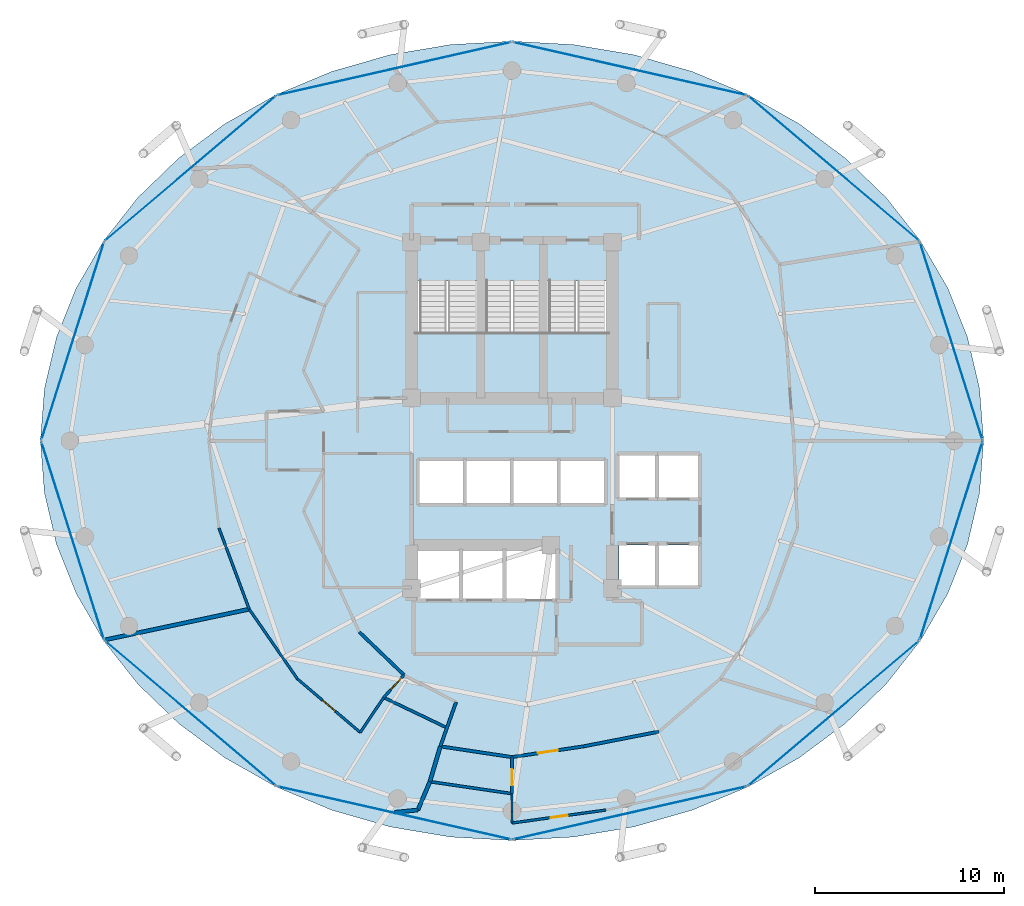
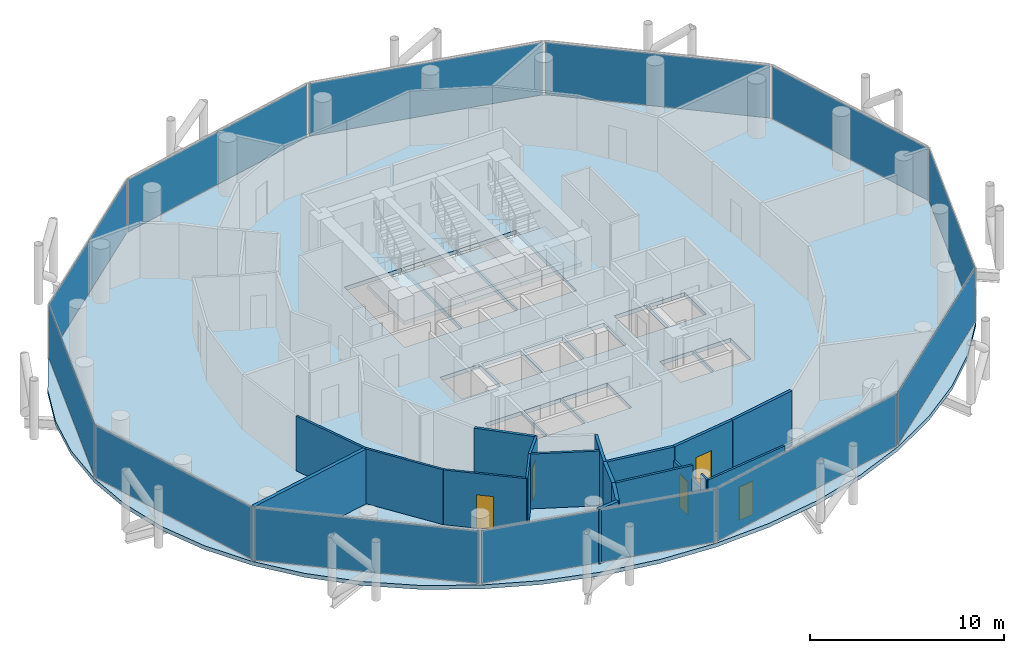
# One storey, part 21 of 26: 20 walls, 12 plates, 5 doors, 4 slabs, 5 openings, 15 elements without a shape of their own.
"""IFC4 building model written with IfcOpenShell, lengths in metres."""

import ifcopenshell
import ifcopenshell.guid

model = None  # the IFC model being written
_history = None  # IfcOwnerHistory: only IFC2X3 demands one
_inside = {}  # id of a spatial element -> (the spatial element, [elements in it])
_under = {}  # id of a project, library or spatial element -> (it, [spatial elements below it])
_declared = {}  # id of a project -> (the project, [libraries it declares])
_typed = {}  # id of a type object -> (the type object, [elements of that type])
_made_of = {}  # id of a material, layer set ... -> (it, [elements and type objects made of it])


def new_model(schema):
    """Start an empty IFC model of exactly this schema.

    Asked for "IFC4X3", IfcOpenShell would pick the latest addendum, in which some entities
    have other attributes; the version numbers below select the first issue.
    IFC2X3 requires an IfcOwnerHistory on every rooted entity: one is made here for all.
    """
    global model, _history
    if schema == "IFC4X3":
        model = ifcopenshell.file(schema_version=(4, 3, 0, 0))
    else:
        model = ifcopenshell.file(schema=schema)
    _inside.clear()
    _under.clear()
    _declared.clear()
    _typed.clear()
    _made_of.clear()
    _history = None
    if model.schema == "IFC2X3":
        org = make("IfcOrganization", Name="unknown")
        user = make(
            "IfcPersonAndOrganization",
            ThePerson=make("IfcPerson", FamilyName="unknown"),
            TheOrganization=org,
        )
        app = make(
            "IfcApplication",
            ApplicationDeveloper=org,
            Version="unknown",
            ApplicationFullName="unknown",
            ApplicationIdentifier="unknown",
        )
        _history = make(
            "IfcOwnerHistory",
            OwningUser=user,
            OwningApplication=app,
            ChangeAction="ADDED",
            CreationDate=0,
        )
    return model


def make(cls, **values):
    """One entity of the class cls with the attributes given. An attribute that is None is left unset."""
    return model.create_entity(
        cls, **{name: value for name, value in values.items() if value is not None}
    )


def rooted(cls, **values):
    """An entity with a GlobalId (a new one), such as an element, a storey or a relation."""
    return make(cls, GlobalId=ifcopenshell.guid.new(), OwnerHistory=_history, **values)


def si_unit(unit_type, name, prefix=None):
    """IfcSIUnit, for example si_unit("LENGTHUNIT", "METRE", prefix="MILLI")."""
    return make("IfcSIUnit", UnitType=unit_type, Prefix=prefix, Name=name)


def assignment(units):
    """IfcUnitAssignment: the units of a project."""
    return None if units is None else make("IfcUnitAssignment", Units=units)


def point(xyz):
    """IfcCartesianPoint."""
    return None if xyz is None else make("IfcCartesianPoint", Coordinates=xyz)


def direction(xyz):
    """IfcDirection."""
    return None if xyz is None else make("IfcDirection", DirectionRatios=xyz)


def frame(location, z_axis=None, x_axis=None):
    """IfcAxis2Placement3D, a coordinate frame: its origin and axes. An axis left out is left unset."""
    return make(
        "IfcAxis2Placement3D",
        Location=point(location),
        Axis=direction(z_axis),
        RefDirection=direction(x_axis),
    )


def frame_2d(location, x_axis=None):
    """IfcAxis2Placement2D, a coordinate frame in the plane: its origin and x axis."""
    return make(
        "IfcAxis2Placement2D", Location=point(location), RefDirection=direction(x_axis)
    )


def origin():
    """The frame at (0, 0, 0) with its axes left unset."""
    return frame((0.0, 0.0, 0.0))


def origin_2d():
    """The frame at (0, 0) in the plane with its x axis left unset."""
    return frame_2d((0.0, 0.0))


def place(relative_to, where):
    """IfcLocalPlacement: puts the frame where relative to a parent placement (None: the world)."""
    return make(
        "IfcLocalPlacement", PlacementRelTo=relative_to, RelativePlacement=where
    )


def context(
    kind, dimensions, precision=None, world=None, true_north=None, identifier=None
):
    """IfcGeometricRepresentationContext, for example the 3D "Model" context."""
    return make(
        "IfcGeometricRepresentationContext",
        ContextIdentifier=identifier,
        ContextType=kind,
        CoordinateSpaceDimension=dimensions,
        Precision=precision,
        WorldCoordinateSystem=world,
        TrueNorth=true_north,
    )


def subcontext(parent, identifier, kind, view, scale=None):
    """IfcGeometricRepresentationSubContext, for example "Body" below "Model"."""
    return make(
        "IfcGeometricRepresentationSubContext",
        ContextIdentifier=identifier,
        ContextType=kind,
        ParentContext=parent,
        TargetScale=scale,
        TargetView=view,
    )


def project(units=None, contexts=None):
    """IfcProject with its units and contexts."""
    return rooted(
        "IfcProject",
        Name="project",
        RepresentationContexts=contexts,
        UnitsInContext=assignment(units),
    )


def spatial(cls, under=None, at=None, **own):
    """A site, building, storey or space (cls), placed at a placement, below another one or the project."""
    s = rooted(cls, ObjectPlacement=at, **own)
    if under is not None:
        _under.setdefault(under.id(), (under, []))[1].append(s)
    return s


def polyline(points):
    """IfcPolyline through the points."""
    return make("IfcPolyline", Points=[point(p) for p in points])


def profile(cls, at=None, kind="AREA", **sizes):
    """A parametric profile (cls). Its sizes go by their IFC names, for example OverallWidth=200.0."""
    return make(cls, ProfileType=kind, Position=at, **sizes)


def rectangle(**sizes):
    """IfcRectangleProfileDef."""
    return profile("IfcRectangleProfileDef", **sizes)


def outline(outer, holes=None, kind="AREA"):
    """IfcArbitraryClosedProfileDef: a profile drawn as a closed curve; with holes, ...WithVoids."""
    if holes is None:
        return make("IfcArbitraryClosedProfileDef", ProfileType=kind, OuterCurve=outer)
    return make(
        "IfcArbitraryProfileDefWithVoids",
        ProfileType=kind,
        OuterCurve=outer,
        InnerCurves=holes,
    )


def extrude(swept, where, along, depth):
    """IfcExtrudedAreaSolid: the profile swept, set in the frame where, extruded along a direction by depth."""
    return make(
        "IfcExtrudedAreaSolid",
        SweptArea=swept,
        Position=where,
        ExtrudedDirection=direction(along),
        Depth=depth,
    )


def shape(context_of_items, identifier, shape_type, items):
    """IfcShapeRepresentation: the items that make up one representation, for example the "Body"."""
    return make(
        "IfcShapeRepresentation",
        ContextOfItems=context_of_items,
        RepresentationIdentifier=identifier,
        RepresentationType=shape_type,
        Items=items,
    )


def material(Name=None, Category=None):
    """IfcMaterial."""
    return make("IfcMaterial", Name=Name, Category=Category)


def layer(
    of_material, thickness, ventilated=None, Name=None, Category=None, Priority=None
):
    """IfcMaterialLayer: one layer of a wall or slab, of a material (None: an air gap)."""
    return make(
        "IfcMaterialLayer",
        Material=of_material,
        LayerThickness=thickness,
        IsVentilated=ventilated,
        Name=Name,
        Category=Category,
        Priority=Priority,
    )


def layer_set(layers, Name=None):
    """IfcMaterialLayerSet."""
    return make("IfcMaterialLayerSet", MaterialLayers=layers, LayerSetName=Name)


def made_of(thing, what):
    """Note that an element or type object is made of a material, layer set ...; save() writes the relation."""
    if what is not None:
        _made_of.setdefault(what.id(), (what, []))[1].append(thing)
    return thing


def type_object(cls, material=None, **own):
    """A type object (cls), such as IfcWallType, which elements share."""
    return made_of(rooted(cls, **own), material)


def element(
    cls,
    number,
    at=None,
    inside=None,
    cuts=None,
    type_object=None,
    material=None,
    context=None,
    identifier="Body",
    shape_type=None,
    held_by="IfcProductDefinitionShape",
    body=None,
    shapes=None,
    **own,
):
    """One element of the class cls, such as IfcWall. Its Tag is "e" and its number.

    at: its placement. inside: the storey or other place that contains it. cuts: it is an
    opening in that element (IfcRelVoidsElement). A single representation is given by context,
    identifier, shape_type and body (its items); several are given by shapes. held_by: the class
    of the entity that holds the representations. save() writes the other relations.
    """
    e = rooted(cls, Tag="e%d" % number, ObjectPlacement=at, **own)
    if body is not None:
        shapes = [shape(context, identifier, shape_type, body)]
    if shapes is not None:
        e.Representation = make(held_by, Representations=shapes)
    if inside is not None:
        _inside.setdefault(inside.id(), (inside, []))[1].append(e)
    if cuts is not None:
        rooted(
            "IfcRelVoidsElement", RelatingBuildingElement=cuts, RelatedOpeningElement=e
        )
    if type_object is not None:
        _typed.setdefault(type_object.id(), (type_object, []))[1].append(e)
    return made_of(e, material)


def fill(opening, filler):
    """IfcRelFillsElement: the door or window that sits in an opening."""
    return rooted(
        "IfcRelFillsElement",
        RelatingOpeningElement=opening,
        RelatedBuildingElement=filler,
    )


def aggregate(whole, parts):
    """IfcRelAggregates: a whole, such as a stair, and the parts it consists of."""
    return rooted("IfcRelAggregates", RelatingObject=whole, RelatedObjects=parts)


def save(model, path):
    """Write the relations noted so far, then the file.

    IfcRelAggregates (storeys below a building ...), IfcRelContainedInSpatialStructure (elements
    in a storey), IfcRelDefinesByType, IfcRelAssociatesMaterial and IfcRelDeclares: one each for
    every whole, place, type object, material and project.
    """
    for whole, parts in _under.values():
        aggregate(whole, parts)
    for where, things in _inside.values():
        rooted(
            "IfcRelContainedInSpatialStructure",
            RelatedElements=things,
            RelatingStructure=where,
        )
    for kind, things in _typed.values():
        rooted("IfcRelDefinesByType", RelatedObjects=things, RelatingType=kind)
    for what, things in _made_of.values():
        rooted("IfcRelAssociatesMaterial", RelatedObjects=things, RelatingMaterial=what)
    for by, libraries in _declared.values():
        rooted("IfcRelDeclares", RelatingContext=by, RelatedDefinitions=libraries)
    model.write(path)


model = new_model("IFC4")

# Units and contexts
model_context = context("Model", 3, precision=1e-05, world=origin(), true_north=direction((0.0, 1.0)))
body_context = subcontext(model_context, "Body", "Model", "MODEL_VIEW")
ifc_project = project(units=[si_unit("LENGTHUNIT", "METRE"), si_unit("AREAUNIT", "SQUARE_METRE"), si_unit("VOLUMEUNIT", "CUBIC_METRE"), si_unit("PLANEANGLEUNIT", "RADIAN"), si_unit("MASSUNIT", "GRAM", prefix="KILO")], contexts=[model_context])

# Site, building, storey
site_placement = place(None, origin())
site = spatial("IfcSite", under=ifc_project, at=site_placement, CompositionType="ELEMENT")
building_placement = place(site_placement, origin())
building = spatial("IfcBuilding", under=site, at=building_placement, Name="Nuhasar Tower", CompositionType="ELEMENT")
storey_placement = place(building_placement, frame((0.0, 0.0, 184.85009765625)))
storey = spatial("IfcBuildingStorey", under=building, at=storey_placement, Name="L45", CompositionType="ELEMENT", Elevation=184.85009765625)

# Curtain wall, plate
ifc_material_1 = material(Name="Aluminium 6063-T6", Category="aluminium")
ifc_layer_1 = layer(ifc_material_1, 0.199951171875)
ifc_layer_set_1 = layer_set([ifc_layer_1], Name="Aluminium 6063-T6")
curtain_wall_type = type_object("IfcCurtainWallType", Name="CW-Z2-HTL", PredefinedType="NOTDEFINED", material=ifc_layer_set_1)
curtain_wall_1_placement = place(storey_placement, origin())
curtain_wall_1 = element("IfcCurtainWall", 1, at=curtain_wall_1_placement, inside=storey, type_object=curtain_wall_type, Name="L45 Unitised Curtain Wall 01", PredefinedType="NOTDEFINED")
ifc_material_2 = material(Name="Glass Double Low-E", Category="glass")
ifc_layer_2 = layer(ifc_material_2, 0.028076171875)
ifc_layer_set_2 = layer_set([ifc_layer_2], Name="Glass Double Low-E")
plate_type = type_object("IfcPlateType", Name="CW-PANEL-GLZ", PredefinedType="CURTAIN_PANEL", material=ifc_layer_set_2)
plate_1_placement = place(storey_placement, frame((62.194580078125, 32.06494140625, 0.06982421875), z_axis=(0.0, 0.0, 1.0), x_axis=(-0.301603667577, 0.953433389233, 0.0)))
plate_1 = element("IfcPlate", 2, at=plate_1_placement, type_object=plate_type, Name="CW-Z2 panel 1.1", PredefinedType="CURTAIN_PANEL", context=body_context, shape_type="SweptSolid", body=[
    extrude(rectangle(XDim=10.904296875, YDim=0.028076171875, at=origin_2d()), origin(), (0.0, 0.0, 1.0), 3.31005859375),
])
aggregate(curtain_wall_1, [plate_1])

curtain_wall_2_placement = place(storey_placement, origin())
curtain_wall_2 = element("IfcCurtainWall", 3, at=curtain_wall_2_placement, inside=storey, type_object=curtain_wall_type, Name="L45 Unitised Curtain Wall 02", PredefinedType="NOTDEFINED")
plate_2_placement = place(storey_placement, frame((55.9794921875, 41.18408203125, 0.06982421875), z_axis=(0.0, 0.0, 1.0), x_axis=(-0.763020370292, 0.646374438324, 0.0)))
plate_2 = element("IfcPlate", 4, at=plate_2_placement, type_object=plate_type, Name="CW-Z2 panel 1.1", PredefinedType="CURTAIN_PANEL", context=body_context, shape_type="SweptSolid", body=[
    extrude(rectangle(XDim=11.784912109375, YDim=0.028076171875, at=origin_2d()), origin(), (0.0, 0.0, 1.0), 3.31005859375),
])
aggregate(curtain_wall_2, [plate_2])

curtain_wall_3_placement = place(storey_placement, origin())
curtain_wall_3 = element("IfcCurtainWall", 5, at=curtain_wall_3_placement, inside=storey, type_object=curtain_wall_type, Name="L45 Unitised Curtain Wall 03", PredefinedType="NOTDEFINED")
plate_3_placement = place(storey_placement, frame((45.215087890625, 46.448974609375, 0.06982421875), z_axis=(0.0, 0.0, 1.0), x_axis=(-0.975183694221, 0.22139729566, 0.0)))
plate_3 = element("IfcPlate", 6, at=plate_3_placement, type_object=plate_type, Name="CW-Z2 panel 1.1", PredefinedType="CURTAIN_PANEL", context=body_context, shape_type="SweptSolid", body=[
    extrude(rectangle(XDim=12.606201171875, YDim=0.028076171875, at=origin_2d()), origin(), (0.0, 0.0, 1.0), 3.31005859375),
])
aggregate(curtain_wall_3, [plate_3])

curtain_wall_4_placement = place(storey_placement, origin())
curtain_wall_4 = element("IfcCurtainWall", 7, at=curtain_wall_4_placement, inside=storey, type_object=curtain_wall_type, Name="L45 Unitised Curtain Wall 04", PredefinedType="NOTDEFINED")
plate_4_placement = place(storey_placement, frame((32.784912109375, 46.448974609375, 0.06982421875), z_axis=(0.0, 0.0, 1.0), x_axis=(-0.975183694221, -0.22139729566, 0.0)))
plate_4 = element("IfcPlate", 8, at=plate_4_placement, type_object=plate_type, Name="CW-Z2 panel 1.1", PredefinedType="CURTAIN_PANEL", context=body_context, shape_type="SweptSolid", body=[
    extrude(rectangle(XDim=12.606201171875, YDim=0.028076171875, at=origin_2d()), origin(), (0.0, 0.0, 1.0), 3.31005859375),
])
aggregate(curtain_wall_4, [plate_4])

curtain_wall_5_placement = place(storey_placement, origin())
curtain_wall_5 = element("IfcCurtainWall", 9, at=curtain_wall_5_placement, inside=storey, type_object=curtain_wall_type, Name="L45 Unitised Curtain Wall 05", PredefinedType="NOTDEFINED")
plate_5_placement = place(storey_placement, frame((22.0205078125, 41.18408203125, 0.06982421875), z_axis=(0.0, 0.0, 1.0), x_axis=(-0.763020370292, -0.646374438324, 0.0)))
plate_5 = element("IfcPlate", 10, at=plate_5_placement, type_object=plate_type, Name="CW-Z2 panel 1.1", PredefinedType="CURTAIN_PANEL", context=body_context, shape_type="SweptSolid", body=[
    extrude(rectangle(XDim=11.784912109375, YDim=0.028076171875, at=origin_2d()), origin(), (0.0, 0.0, 1.0), 3.31005859375),
])
aggregate(curtain_wall_5, [plate_5])

curtain_wall_6_placement = place(storey_placement, origin())
curtain_wall_6 = element("IfcCurtainWall", 11, at=curtain_wall_6_placement, inside=storey, type_object=curtain_wall_type, Name="L45 Unitised Curtain Wall 06", PredefinedType="NOTDEFINED")
plate_6_placement = place(storey_placement, frame((15.805419921875, 32.06494140625, 0.06982421875), z_axis=(0.0, 0.0, 1.0), x_axis=(-0.301603667577, -0.953433389233, 0.0)))
plate_6 = element("IfcPlate", 12, at=plate_6_placement, type_object=plate_type, Name="CW-Z2 panel 1.1", PredefinedType="CURTAIN_PANEL", context=body_context, shape_type="SweptSolid", body=[
    extrude(rectangle(XDim=10.904296875, YDim=0.028076171875, at=origin_2d()), origin(), (0.0, 0.0, 1.0), 3.31005859375),
])
aggregate(curtain_wall_6, [plate_6])

curtain_wall_7_placement = place(storey_placement, origin())
curtain_wall_7 = element("IfcCurtainWall", 13, at=curtain_wall_7_placement, inside=storey, type_object=curtain_wall_type, Name="L45 Unitised Curtain Wall 07", PredefinedType="NOTDEFINED")
plate_7_placement = place(storey_placement, frame((15.805419921875, 21.534912109375, 0.06982421875), z_axis=(0.0, 0.0, 1.0), x_axis=(0.301603667577, -0.953433389233, 0.0)))
plate_7 = element("IfcPlate", 14, at=plate_7_placement, type_object=plate_type, Name="CW-Z2 panel 1.1", PredefinedType="CURTAIN_PANEL", context=body_context, shape_type="SweptSolid", body=[
    extrude(rectangle(XDim=10.904296875, YDim=0.028076171875, at=origin_2d()), origin(), (0.0, 0.0, 1.0), 3.31005859375),
])
aggregate(curtain_wall_7, [plate_7])

curtain_wall_8_placement = place(storey_placement, origin())
curtain_wall_8 = element("IfcCurtainWall", 15, at=curtain_wall_8_placement, inside=storey, type_object=curtain_wall_type, Name="L45 Unitised Curtain Wall 08", PredefinedType="NOTDEFINED")
plate_8_placement = place(storey_placement, frame((22.0205078125, 12.416015625, 0.06982421875), z_axis=(0.0, 0.0, 1.0), x_axis=(0.763020370292, -0.646374438324, 0.0)))
plate_8 = element("IfcPlate", 16, at=plate_8_placement, type_object=plate_type, Name="CW-Z2 panel 1.1", PredefinedType="CURTAIN_PANEL", context=body_context, shape_type="SweptSolid", body=[
    extrude(rectangle(XDim=11.784912109375, YDim=0.028076171875, at=origin_2d()), origin(), (0.0, 0.0, 1.0), 3.31005859375),
])
aggregate(curtain_wall_8, [plate_8])

curtain_wall_9_placement = place(storey_placement, origin())
curtain_wall_9 = element("IfcCurtainWall", 17, at=curtain_wall_9_placement, inside=storey, type_object=curtain_wall_type, Name="L45 Unitised Curtain Wall 09", PredefinedType="NOTDEFINED")
plate_9_placement = place(storey_placement, frame((32.784912109375, 7.15087890625, 0.06982421875), z_axis=(0.0, 0.0, 1.0), x_axis=(0.975183694221, -0.22139729566, 0.0)))
plate_9 = element("IfcPlate", 18, at=plate_9_placement, type_object=plate_type, Name="CW-Z2 panel 1.1", PredefinedType="CURTAIN_PANEL", context=body_context, shape_type="SweptSolid", body=[
    extrude(rectangle(XDim=12.606201171875, YDim=0.028076171875, at=origin_2d()), origin(), (0.0, 0.0, 1.0), 3.31005859375),
])
aggregate(curtain_wall_9, [plate_9])

curtain_wall_10_placement = place(storey_placement, origin())
curtain_wall_10 = element("IfcCurtainWall", 19, at=curtain_wall_10_placement, inside=storey, type_object=curtain_wall_type, Name="L45 Unitised Curtain Wall 10", PredefinedType="NOTDEFINED")
plate_10_placement = place(storey_placement, frame((45.215087890625, 7.15087890625, 0.06982421875), z_axis=(0.0, 0.0, 1.0), x_axis=(0.975183694221, 0.22139729566, 0.0)))
plate_10 = element("IfcPlate", 20, at=plate_10_placement, type_object=plate_type, Name="CW-Z2 panel 1.1", PredefinedType="CURTAIN_PANEL", context=body_context, shape_type="SweptSolid", body=[
    extrude(rectangle(XDim=12.606201171875, YDim=0.028076171875, at=origin_2d()), origin(), (0.0, 0.0, 1.0), 3.31005859375),
])
aggregate(curtain_wall_10, [plate_10])

curtain_wall_11_placement = place(storey_placement, origin())
curtain_wall_11 = element("IfcCurtainWall", 21, at=curtain_wall_11_placement, inside=storey, type_object=curtain_wall_type, Name="L45 Unitised Curtain Wall 11", PredefinedType="NOTDEFINED")
plate_11_placement = place(storey_placement, frame((55.9794921875, 12.416015625, 0.06982421875), z_axis=(0.0, 0.0, 1.0), x_axis=(0.763020370292, 0.646374438324, 0.0)))
plate_11 = element("IfcPlate", 22, at=plate_11_placement, type_object=plate_type, Name="CW-Z2 panel 1.1", PredefinedType="CURTAIN_PANEL", context=body_context, shape_type="SweptSolid", body=[
    extrude(rectangle(XDim=11.784912109375, YDim=0.028076171875, at=origin_2d()), origin(), (0.0, 0.0, 1.0), 3.31005859375),
])
aggregate(curtain_wall_11, [plate_11])

curtain_wall_12_placement = place(storey_placement, origin())
curtain_wall_12 = element("IfcCurtainWall", 23, at=curtain_wall_12_placement, inside=storey, type_object=curtain_wall_type, Name="L45 Unitised Curtain Wall 12", PredefinedType="NOTDEFINED")
plate_12_placement = place(storey_placement, frame((62.194580078125, 21.534912109375, 0.06982421875), z_axis=(0.0, 0.0, 1.0), x_axis=(0.301603667577, 0.953433389233, 0.0)))
plate_12 = element("IfcPlate", 24, at=plate_12_placement, type_object=plate_type, Name="CW-Z2 panel 1.1", PredefinedType="CURTAIN_PANEL", context=body_context, shape_type="SweptSolid", body=[
    extrude(rectangle(XDim=10.904296875, YDim=0.028076171875, at=origin_2d()), origin(), (0.0, 0.0, 1.0), 3.31005859375),
])
aggregate(curtain_wall_12, [plate_12])

# Stair, slab
ifc_material_3 = material(Name="Concrete C45/55", Category="concrete")
stair_type_1 = type_object("IfcStairType", Name="STR-ST-01-2F-22R-1682", PredefinedType="HALF_TURN_STAIR", material=ifc_material_3)
stair_1_placement = place(storey_placement, origin())
stair_1 = element("IfcStair", 25, at=stair_1_placement, inside=storey, type_object=stair_type_1, Name="L45 Exit Stair ST-01", PredefinedType="HALF_TURN_STAIR")
ifc_layer_3 = layer(ifc_material_3, 0.239990234375)
ifc_layer_set_3 = layer_set([ifc_layer_3], Name="Concrete C45/55")
slab_type_1 = type_object("IfcSlabType", Name="SLB-STAIR-LND-240", PredefinedType="LANDING", material=ifc_layer_set_3)
slab_1_placement = place(storey_placement, frame((0.0, 0.0, 1.60986328125)))
slab_1 = element("IfcSlab", 26, at=slab_1_placement, type_object=slab_type_1, Name="ST-01 landing 1", PredefinedType="LANDING", context=body_context, shape_type="SweptSolid", body=[
    extrude(outline(polyline([(33.699951171875, 28.75), (37.35009765625, 28.75), (37.35009765625, 32.52001953125), (33.699951171875, 32.52001953125), (33.699951171875, 28.75)])), origin(), (0.0, 0.0, 1.0), 0.239990234375),
])
aggregate(stair_1, [slab_1])

stair_type_2 = type_object("IfcStairType", Name="STR-ST-03-2F-22R-1682", PredefinedType="HALF_TURN_STAIR", material=ifc_material_3)
stair_2_placement = place(storey_placement, origin())
stair_2 = element("IfcStair", 27, at=stair_2_placement, inside=storey, type_object=stair_type_2, Name="L45 Exit Stair ST-03", PredefinedType="HALF_TURN_STAIR")
slab_2_placement = place(storey_placement, frame((0.0, 0.0, 1.60986328125)))
slab_2 = element("IfcSlab", 28, at=slab_2_placement, type_object=slab_type_1, Name="ST-03 landing 1", PredefinedType="LANDING", context=body_context, shape_type="SweptSolid", body=[
    extrude(outline(polyline([(37.35009765625, 28.75), (40.64990234375, 28.75), (40.64990234375, 32.52001953125), (37.35009765625, 32.52001953125), (37.35009765625, 28.75)])), origin(), (0.0, 0.0, 1.0), 0.239990234375),
])
aggregate(stair_2, [slab_2])

stair_type_3 = type_object("IfcStairType", Name="STR-ST-02-2F-22R-1682", PredefinedType="HALF_TURN_STAIR", material=ifc_material_3)
stair_3_placement = place(storey_placement, origin())
stair_3 = element("IfcStair", 29, at=stair_3_placement, inside=storey, type_object=stair_type_3, Name="L45 Exit Stair ST-02", PredefinedType="HALF_TURN_STAIR")
slab_3_placement = place(storey_placement, frame((0.0, 0.0, 1.60986328125)))
slab_3 = element("IfcSlab", 30, at=slab_3_placement, type_object=slab_type_1, Name="ST-02 landing 1", PredefinedType="LANDING", context=body_context, shape_type="SweptSolid", body=[
    extrude(outline(polyline([(40.64990234375, 28.75), (44.300048828125, 28.75), (44.300048828125, 32.52001953125), (40.64990234375, 32.52001953125), (40.64990234375, 28.75)])), origin(), (0.0, 0.0, 1.0), 0.239990234375),
])
aggregate(stair_3, [slab_3])

# Slab
ifc_layer_4 = layer(ifc_material_3, 0.25)
ifc_layer_set_4 = layer_set([ifc_layer_4], Name="Concrete C45/55")
slab_type_2 = type_object("IfcSlabType", Name="SLB-Z1B-250", PredefinedType="FLOOR", material=ifc_layer_set_4)
slab_4_placement = place(storey_placement, frame((0.0, 0.0, -0.25)))
element("IfcSlab", 31, at=slab_4_placement, inside=storey, type_object=slab_type_2, Name="L45 Structural Slab", PredefinedType="FLOOR", context=body_context, shape_type="SweptSolid", body=[
    extrude(outline(polyline([(63.89990234375, 26.800048828125), (63.68701171875, 29.553955078125), (63.052001953125, 32.260986328125), (62.0048828125, 34.875), (60.56396484375, 37.35009765625), (58.75390625, 39.64501953125), (56.60693359375, 41.719970703125), (54.157958984375, 43.5400390625), (51.449951171875, 45.072998046875), (48.529052734375, 46.2939453125), (45.445068359375, 47.180908203125), (42.25, 47.718994140625), (39.0, 47.89990234375), (35.75, 47.718994140625), (32.554931640625, 47.180908203125), (29.470947265625, 46.2939453125), (26.550048828125, 45.072998046875), (23.842041015625, 43.5400390625), (21.39306640625, 41.719970703125), (19.24609375, 39.64501953125), (17.43603515625, 37.35009765625), (15.9951171875, 34.875), (14.947998046875, 32.260986328125), (14.31298828125, 29.553955078125), (14.10009765625, 26.800048828125), (14.31298828125, 24.0458984375), (14.947998046875, 21.339111328125), (15.9951171875, 18.72509765625), (17.43603515625, 16.25), (19.24609375, 13.955078125), (21.39306640625, 11.8798828125), (23.842041015625, 10.06005859375), (26.550048828125, 8.527099609375), (29.470947265625, 7.305908203125), (32.554931640625, 6.4189453125), (35.75, 5.881103515625), (39.0, 5.699951171875), (42.25, 5.881103515625), (45.445068359375, 6.4189453125), (48.529052734375, 7.305908203125), (51.449951171875, 8.527099609375), (54.157958984375, 10.06005859375), (56.60693359375, 11.8798828125), (58.75390625, 13.955078125), (60.56396484375, 16.25), (62.0048828125, 18.72509765625), (63.052001953125, 21.339111328125), (63.68701171875, 24.0458984375), (63.89990234375, 26.800048828125)]), holes=[polyline([(33.8798828125, 35.25), (37.300048828125, 35.25), (37.300048828125, 29.0), (33.8798828125, 29.0), (33.8798828125, 35.25)]), polyline([(37.39990234375, 35.25), (40.60009765625, 35.25), (40.60009765625, 29.0), (37.39990234375, 29.0), (37.39990234375, 35.25)]), polyline([(40.699951171875, 35.25), (44.1201171875, 35.25), (44.1201171875, 29.0), (40.699951171875, 29.0), (40.699951171875, 35.25)]), polyline([(44.64990234375, 26.050048828125), (46.60009765625, 26.050048828125), (46.60009765625, 23.800048828125), (44.64990234375, 23.800048828125), (44.64990234375, 26.050048828125)]), polyline([(46.699951171875, 26.050048828125), (48.85009765625, 26.050048828125), (48.85009765625, 23.800048828125), (46.699951171875, 23.800048828125), (46.699951171875, 26.050048828125)]), polyline([(44.64990234375, 21.300048828125), (46.60009765625, 21.300048828125), (46.60009765625, 19.14990234375), (44.64990234375, 19.14990234375), (44.64990234375, 21.300048828125)]), polyline([(46.699951171875, 21.300048828125), (48.85009765625, 21.300048828125), (48.85009765625, 19.14990234375), (46.699951171875, 19.14990234375), (46.699951171875, 21.300048828125)]), polyline([(34.10009765625, 25.75), (36.43994140625, 25.75), (36.43994140625, 23.5), (34.10009765625, 23.5), (34.10009765625, 25.75)]), polyline([(36.580078125, 25.75), (38.919921875, 25.75), (38.919921875, 23.5), (36.580078125, 23.5), (36.580078125, 25.75)]), polyline([(39.06005859375, 25.75), (41.39990234375, 25.75), (41.39990234375, 23.5), (39.06005859375, 23.5), (39.06005859375, 25.75)]), polyline([(41.5400390625, 25.75), (43.8798828125, 25.75), (43.8798828125, 23.5), (41.5400390625, 23.5), (41.5400390625, 25.75)]), polyline([(34.050048828125, 21.0), (36.25, 21.0), (36.25, 18.449951171875), (34.050048828125, 18.449951171875), (34.050048828125, 21.0)]), polyline([(36.35009765625, 21.0), (38.550048828125, 21.0), (38.550048828125, 18.449951171875), (36.35009765625, 18.449951171875), (36.35009765625, 21.0)]), polyline([(38.64990234375, 21.0), (41.320068359375, 21.0), (41.320068359375, 18.449951171875), (38.64990234375, 18.449951171875), (38.64990234375, 21.0)])]), origin(), (0.0, 0.0, 1.0), 0.25),
])

# Wall
ifc_material_4 = material(Name="Gypsum Board", Category="gypsum")
ifc_layer_5 = layer(ifc_material_4, 0.159912109375)
ifc_layer_set_5 = layer_set([ifc_layer_5], Name="Gypsum Board")
wall_type_1 = type_object("IfcWallType", Name="WL-CORR-160", PredefinedType="PARTITIONING", material=ifc_layer_set_5)
wall_1_placement = place(storey_placement, frame((35.216064453125, 10.6689453125, 0.0), z_axis=(0.0, 0.0, 1.0), x_axis=(0.988888097148, -0.148661801817, 0.0)))
element("IfcWall", 32, at=wall_1_placement, inside=storey, type_object=wall_type_1, Name="L45 Interior Partition CORR-34", PredefinedType="PARTITIONING", context=body_context, shape_type="SweptSolid", body=[
    extrude(rectangle(XDim=3.826416015625, YDim=0.159912109375, at=frame_2d((1.9130859375, 0.0))), origin(), (0.0, 0.0, 1.0), 3.449951171875),
])

# Wall, opening, door
wall_2_placement = place(storey_placement, frame((42.783935546875, 10.6689453125, 0.0), z_axis=(0.0, 0.0, 1.0), x_axis=(-0.988888097148, -0.148661801817, 0.0)))
wall_2 = element("IfcWall", 33, at=wall_2_placement, inside=storey, type_object=wall_type_1, Name="L45 Interior Partition CORR-36", PredefinedType="PARTITIONING", context=body_context, shape_type="SweptSolid", body=[
    extrude(rectangle(XDim=3.826416015625, YDim=0.159912109375, at=frame_2d((1.9130859375, 0.0))), origin(), (0.0, 0.0, 1.0), 3.449951171875),
])
opening_1_placement = place(wall_2_placement, frame((1.387939453125, 0.0, 0.0)))
opening_1 = element("IfcOpeningElement", 34, at=opening_1_placement, cuts=wall_2, Name="Opening DU-01", PredefinedType="OPENING", context=body_context, shape_type="SweptSolid", body=[
    extrude(rectangle(XDim=1.050048828125, YDim=2.14990234375, at=frame_2d((0.52490234375, 1.074951171875))), frame((0.0, 0.08984375, 0.0), z_axis=(0.0, -1.0, 0.0), x_axis=(1.0, 0.0, 0.0)), (0.0, 0.0, 1.0), 0.179931640625),
])
ifc_material_5 = material(Name="Timber Oak", Category="wood")
door_type_1 = type_object("IfcDoorType", Name="DR-SUITE-FD60-1050", OperationType="NOTDEFINED", PredefinedType="DOOR", material=ifc_material_5)
door_1_placement = place(opening_1_placement, origin())
door_1 = element("IfcDoor", 35, at=door_1_placement, inside=storey, type_object=door_type_1, Name="L45 Royal Hijaz Suite East Entrance Door", OperationType="SINGLE_SWING_LEFT", OverallHeight=2.14990234375, OverallWidth=1.050048828125, PredefinedType="DOOR", context=body_context, shape_type="SweptSolid", body=[
    extrude(rectangle(XDim=1.050048828125, YDim=2.14990234375, at=frame_2d((0.52490234375, 1.074951171875))), frame((0.0, 0.02490234375, 0.0), z_axis=(0.0, -1.0, 0.0), x_axis=(1.0, 0.0, 0.0)), (0.0, 0.0, 1.0), 0.050048828125),
])
fill(opening_1, door_1)

# Walls
wall_3_placement = place(storey_placement, frame((42.783935546875, 10.6689453125, 0.0), z_axis=(0.0, 0.0, 1.0), x_axis=(0.981485343451, 0.191537256405, 0.0)))
element("IfcWall", 36, at=wall_3_placement, inside=storey, type_object=wall_type_1, Name="L45 Interior Partition CORR-38", PredefinedType="PARTITIONING", context=body_context, shape_type="SweptSolid", body=[
    extrude(rectangle(XDim=4.052001953125, YDim=0.159912109375, at=frame_2d((2.02587890625, 0.0))), origin(), (0.0, 0.0, 1.0), 3.449951171875),
])
wall_4_placement = place(storey_placement, frame((36.049072265625, 13.007080078125, 0.0), z_axis=(0.0, 0.0, 1.0), x_axis=(-0.335607268638, -0.942001996408, 0.0)))
element("IfcWall", 37, at=wall_4_placement, inside=storey, type_object=wall_type_1, Name="L45 Interior Partition HRAD-34-IN", PredefinedType="PARTITIONING", context=body_context, shape_type="SweptSolid", body=[
    extrude(rectangle(XDim=2.482177734375, YDim=0.159912109375, at=frame_2d((1.2412109375, 0.0))), origin(), (0.0, 0.0, 1.0), 3.449951171875),
])
wall_5_placement = place(storey_placement, frame((30.93896484375, 16.702880859375, 0.0), z_axis=(0.0, 0.0, 1.0), x_axis=(0.72090897908, -0.693029756851, 0.0)))
element("IfcWall", 38, at=wall_5_placement, inside=storey, type_object=wall_type_1, Name="L45 Interior Partition HWEST-CORE-S2-30", PredefinedType="PARTITIONING", context=body_context, shape_type="SweptSolid", body=[
    extrude(rectangle(XDim=3.275146484375, YDim=0.159912109375, at=frame_2d((1.6376953125, 0.0))), origin(), (0.0, 0.0, 1.0), 3.449951171875),
])
ifc_layer_6 = layer(ifc_material_4, 0.125)
ifc_layer_set_6 = layer_set([ifc_layer_6], Name="Gypsum Board")
wall_type_2 = type_object("IfcWallType", Name="WL-PART-125", PredefinedType="PARTITIONING", material=ifc_layer_set_6)
wall_6_placement = place(storey_placement, frame((39.0, 8.169921875, 0.0), z_axis=(0.0, 0.0, 1.0), x_axis=(0.0, -1.0, 0.0)))
element("IfcWall", 39, at=wall_6_placement, inside=storey, type_object=wall_type_2, Name="L45 Interior Partition HBS-01", PredefinedType="PARTITIONING", context=body_context, shape_type="SweptSolid", body=[
    extrude(rectangle(XDim=0.928955078125, YDim=0.125, at=frame_2d((0.46435546875, 0.0))), origin(), (0.0, 0.0, 1.0), 2.58984375),
])
wall_7_placement = place(storey_placement, frame((39.0, 7.240966796875, 0.0), z_axis=(0.0, 0.0, 1.0), x_axis=(0.0, -1.0, 0.0)))
element("IfcWall", 40, at=wall_7_placement, inside=storey, type_object=wall_type_2, Name="L45 Interior Partition HBS-01", PredefinedType="PARTITIONING", context=body_context, shape_type="SweptSolid", body=[
    extrude(rectangle(XDim=0.620849609375, YDim=0.125, at=frame_2d((0.310546875, 0.0))), origin(), (0.0, 0.0, 1.0), 3.449951171875),
])

# Wall, opening, door
wall_8_placement = place(storey_placement, frame((43.968994140625, 7.30810546875, 0.0), z_axis=(0.0, 0.0, 1.0), x_axis=(-0.99055057881, -0.13714791584, 0.0)))
wall_8 = element("IfcWall", 41, at=wall_8_placement, inside=storey, type_object=wall_type_2, Name="L45 Interior Partition HSAL-01-36", PredefinedType="PARTITIONING", context=body_context, shape_type="SweptSolid", body=[
    extrude(rectangle(XDim=5.016357421875, YDim=0.125, at=frame_2d((2.50830078125, 0.0))), origin(), (0.0, 0.0, 1.0), 3.449951171875),
])
opening_2_placement = place(wall_8_placement, frame((2.05810546875, 0.0, 0.0)))
opening_2 = element("IfcOpeningElement", 42, at=opening_2_placement, cuts=wall_8, Name="Opening DR-01", PredefinedType="OPENING", context=body_context, shape_type="SweptSolid", body=[
    extrude(rectangle(XDim=0.89990234375, YDim=2.10009765625, at=frame_2d((0.449951171875, 1.050048828125))), frame((0.0, 0.072509765625, 0.0), z_axis=(0.0, -1.0, 0.0), x_axis=(1.0, 0.0, 0.0)), (0.0, 0.0, 1.0), 0.14501953125),
])
door_type_2 = type_object("IfcDoorType", Name="DR-ROOM-900", OperationType="NOTDEFINED", PredefinedType="DOOR", material=ifc_material_5)
door_2_placement = place(opening_2_placement, origin())
door_2 = element("IfcDoor", 43, at=door_2_placement, inside=storey, type_object=door_type_2, Name="L45 Royal Hijaz Suite East Bedroom Door", OperationType="SINGLE_SWING_LEFT", OverallHeight=2.10009765625, OverallWidth=0.89990234375, PredefinedType="DOOR", context=body_context, shape_type="SweptSolid", body=[
    extrude(rectangle(XDim=0.89990234375, YDim=2.10009765625, at=frame_2d((0.449951171875, 1.050048828125))), frame((0.0, 0.02490234375, 0.0), z_axis=(0.0, -1.0, 0.0), x_axis=(1.0, 0.0, 0.0)), (0.0, 0.0, 1.0), 0.050048828125),
])
fill(opening_2, door_2)

# Walls
wall_9_placement = place(storey_placement, frame((32.22509765625, 13.2470703125, 0.0), z_axis=(0.0, 0.0, 1.0), x_axis=(-0.556297850913, -0.830982972791, 0.0)))
element("IfcWall", 44, at=wall_9_placement, inside=storey, type_object=wall_type_2, Name="L45 Interior Partition HWS2-N", PredefinedType="PARTITIONING", context=body_context, shape_type="SweptSolid", body=[
    extrude(rectangle(XDim=2.22021484375, YDim=0.125, at=frame_2d((1.110107421875, 0.0))), origin(), (0.0, 0.0, 1.0), 3.449951171875),
])
wall_10_placement = place(storey_placement, frame((23.52587890625, 22.197998046875, 0.0), z_axis=(0.0, 0.0, 1.0), x_axis=(0.349603098964, -0.936897899024, 0.0)))
element("IfcWall", 45, at=wall_10_placement, inside=storey, type_object=wall_type_2, Name="L45 Interior Partition HWS2-ARC-26", PredefinedType="PARTITIONING", context=body_context, shape_type="SweptSolid", body=[
    extrude(rectangle(XDim=4.576904296875, YDim=0.125, at=frame_2d((2.28857421875, 0.0))), origin(), (0.0, 0.0, 1.0), 3.449951171875),
])
wall_11_placement = place(storey_placement, frame((25.1259765625, 17.909912109375, 0.0), z_axis=(0.0, 0.0, 1.0), x_axis=(0.568778830708, -0.822490511641, 0.0)))
element("IfcWall", 46, at=wall_11_placement, inside=storey, type_object=wall_type_2, Name="L45 Interior Partition HWS2-ARC-28", PredefinedType="PARTITIONING", context=body_context, shape_type="SweptSolid", body=[
    extrude(rectangle(XDim=4.4765625, YDim=0.125, at=frame_2d((2.23828125, 0.0))), origin(), (0.0, 0.0, 1.0), 3.449951171875),
])

# Wall, opening, door
wall_12_placement = place(storey_placement, frame((27.672119140625, 14.22802734375, 0.0), z_axis=(0.0, 0.0, 1.0), x_axis=(0.76128931679, -0.648412350393, 0.0)))
wall_12 = element("IfcWall", 47, at=wall_12_placement, inside=storey, type_object=wall_type_2, Name="L45 Interior Partition HWS2-ARC-30", PredefinedType="PARTITIONING", context=body_context, shape_type="SweptSolid", body=[
    extrude(rectangle(XDim=4.358154296875, YDim=0.125, at=frame_2d((2.17919921875, 0.0))), origin(), (0.0, 0.0, 1.0), 3.449951171875),
])
opening_3_placement = place(wall_12_placement, frame((1.72900390625, 0.0, 0.0)))
opening_3 = element("IfcOpeningElement", 48, at=opening_3_placement, cuts=wall_12, Name="Opening DR-01", PredefinedType="OPENING", context=body_context, shape_type="SweptSolid", body=[
    extrude(rectangle(XDim=0.89990234375, YDim=2.10009765625, at=frame_2d((0.449951171875, 1.050048828125))), frame((0.0, 0.072509765625, 0.0), z_axis=(0.0, -1.0, 0.0), x_axis=(1.0, 0.0, 0.0)), (0.0, 0.0, 1.0), 0.14501953125),
])
door_3_placement = place(opening_3_placement, origin())
door_3 = element("IfcDoor", 49, at=door_3_placement, inside=storey, type_object=door_type_2, Name="L45 South-West Presidential Suite Bedroom Door", OperationType="SINGLE_SWING_RIGHT", OverallHeight=2.10009765625, OverallWidth=0.89990234375, PredefinedType="DOOR", context=body_context, shape_type="SweptSolid", body=[
    extrude(rectangle(XDim=0.89990234375, YDim=2.10009765625, at=frame_2d((0.449951171875, 1.050048828125))), frame((0.0, 0.02490234375, 0.0), z_axis=(0.0, -1.0, 0.0), x_axis=(1.0, 0.0, 0.0)), (0.0, 0.0, 1.0), 0.050048828125),
])
fill(opening_3, door_3)

# Walls
ifc_material_6 = material(Name="Concrete C40/50 precast", Category="concrete")
ifc_layer_7 = layer(ifc_material_6, 0.199951171875)
ifc_layer_set_7 = layer_set([ifc_layer_7], Name="Concrete C40/50 precast")
wall_type_3 = type_object("IfcWallType", Name="WL-UNIT-200", PredefinedType="PARTITIONING", material=ifc_layer_set_7)
wall_13_placement = place(storey_placement, frame((35.216064453125, 10.6689453125, 0.0), z_axis=(0.0, 0.0, 1.0), x_axis=(-0.283485285535, -0.958976586203, 0.0)))
element("IfcWall", 50, at=wall_13_placement, inside=storey, type_object=wall_type_3, Name="L45 Interior Partition HRAD-34-OUT-S1", PredefinedType="PARTITIONING", context=body_context, shape_type="SweptSolid", body=[
    extrude(rectangle(XDim=1.94384765625, YDim=0.199951171875, at=frame_2d((0.971923828125, 0.0))), origin(), (0.0, 0.0, 1.0), 3.449951171875),
])
wall_14_placement = place(storey_placement, frame((34.6650390625, 8.804931640625, 0.0), z_axis=(0.0, 0.0, 1.0), x_axis=(-0.39003681134, -0.920799264661, 0.0)))
element("IfcWall", 51, at=wall_14_placement, inside=storey, type_object=wall_type_3, Name="L45 Interior Partition HRAD-34-OUT-S2", PredefinedType="PARTITIONING", context=body_context, shape_type="SweptSolid", body=[
    extrude(rectangle(XDim=1.62548828125, YDim=0.199951171875, at=frame_2d((0.812744140625, 0.0))), origin(), (0.0, 0.0, 1.0), 3.449951171875),
])
wall_15_placement = place(storey_placement, frame((34.031005859375, 7.30810546875, 0.0), z_axis=(0.0, 0.0, 1.0), x_axis=(-0.995011882632, -0.09975647057, 0.0)))
element("IfcWall", 52, at=wall_15_placement, inside=storey, type_object=wall_type_3, Name="L45 Interior Partition HRAD-34-OUT-S3", PredefinedType="PARTITIONING", context=body_context, shape_type="SweptSolid", body=[
    extrude(rectangle(XDim=1.2431640625, YDim=0.199951171875, at=frame_2d((0.62158203125, 0.0))), origin(), (0.0, 0.0, 1.0), 3.449951171875),
])
wall_16_placement = place(storey_placement, frame((25.1259765625, 17.909912109375, 0.0), z_axis=(0.0, 0.0, 1.0), x_axis=(-0.978119354701, -0.208044533596, 0.0)))
element("IfcWall", 53, at=wall_16_placement, inside=storey, type_object=wall_type_3, Name="L45 Interior Partition HWEST-DIV-OUT", PredefinedType="PARTITIONING", context=body_context, shape_type="SweptSolid", body=[
    extrude(rectangle(XDim=7.795654296875, YDim=0.199951171875, at=frame_2d((3.89794921875, 0.0))), origin(), (0.0, 0.0, 1.0), 3.449951171875),
])

# Wall, opening, door
ifc_layer_8 = layer(ifc_material_6, 0.139892578125)
ifc_layer_set_8 = layer_set([ifc_layer_8], Name="Concrete C40/50 precast")
wall_type_4 = type_object("IfcWallType", Name="WL-WET-140", PredefinedType="PARTITIONING", material=ifc_layer_set_8)
wall_17_placement = place(storey_placement, frame((39.0, 10.10009765625, 0.0), z_axis=(0.0, 0.0, 1.0), x_axis=(0.0, -1.0, 0.0)))
wall_17 = element("IfcWall", 54, at=wall_17_placement, inside=storey, type_object=wall_type_4, Name="L45 Interior Partition HBW-01", PredefinedType="PARTITIONING", context=body_context, shape_type="SweptSolid", body=[
    extrude(rectangle(XDim=1.93017578125, YDim=0.139892578125, at=frame_2d((0.965087890625, 0.0))), origin(), (0.0, 0.0, 1.0), 2.58984375),
])
opening_4_placement = place(wall_17_placement, frame((0.635986328125, 0.0, 0.0)))
opening_4 = element("IfcOpeningElement", 55, at=opening_4_placement, cuts=wall_17, Name="Opening DB-01", PredefinedType="OPENING", context=body_context, shape_type="SweptSolid", body=[
    extrude(rectangle(XDim=0.85009765625, YDim=2.10009765625, at=frame_2d((0.425048828125, 1.050048828125))), frame((0.0, 0.080078125, 0.0), z_axis=(0.0, -1.0, 0.0), x_axis=(1.0, 0.0, 0.0)), (0.0, 0.0, 1.0), 0.159912109375),
])
door_type_3 = type_object("IfcDoorType", Name="DR-BATH-850", OperationType="NOTDEFINED", PredefinedType="DOOR", material=ifc_material_5)
door_4_placement = place(opening_4_placement, origin())
door_4 = element("IfcDoor", 56, at=door_4_placement, inside=storey, type_object=door_type_3, Name="L45 Royal Hijaz Suite East En-Suite Door", OperationType="SINGLE_SWING_RIGHT", OverallHeight=2.10009765625, OverallWidth=0.85009765625, PredefinedType="DOOR", context=body_context, shape_type="SweptSolid", body=[
    extrude(rectangle(XDim=0.85009765625, YDim=2.10009765625, at=frame_2d((0.425048828125, 1.050048828125))), frame((0.0, 0.02490234375, 0.0), z_axis=(0.0, -1.0, 0.0), x_axis=(1.0, 0.0, 0.0)), (0.0, 0.0, 1.0), 0.050048828125),
])
fill(opening_4, door_4)

# Wall
wall_18_placement = place(storey_placement, frame((34.6650390625, 8.804931640625, 0.0), z_axis=(0.0, 0.0, 1.0), x_axis=(0.989440607964, -0.144938895095, 0.0)))
element("IfcWall", 57, at=wall_18_placement, inside=storey, type_object=wall_type_4, Name="L45 Interior Partition HBF-01-34", PredefinedType="PARTITIONING", context=body_context, shape_type="SweptSolid", body=[
    extrude(rectangle(XDim=4.381103515625, YDim=0.139892578125, at=frame_2d((2.1904296875, 0.0))), origin(), (0.0, 0.0, 1.0), 3.449951171875),
])

# Wall, opening, door
wall_19_placement = place(storey_placement, frame((33.300048828125, 14.43310546875, 0.0), z_axis=(0.0, 0.0, 1.0), x_axis=(-0.671556062003, -0.740953747266, 0.0)))
wall_19 = element("IfcWall", 58, at=wall_19_placement, inside=storey, type_object=wall_type_4, Name="L45 Interior Partition HBW2-N", PredefinedType="PARTITIONING", context=body_context, shape_type="SweptSolid", body=[
    extrude(rectangle(XDim=1.6005859375, YDim=0.139892578125, at=frame_2d((0.80029296875, 0.0))), origin(), (0.0, 0.0, 1.0), 3.449951171875),
])
opening_5_placement = place(wall_19_placement, frame((0.199951171875, 0.0, 0.0)))
opening_5 = element("IfcOpeningElement", 59, at=opening_5_placement, cuts=wall_19, Name="Opening DB-01", PredefinedType="OPENING", context=body_context, shape_type="SweptSolid", body=[
    extrude(rectangle(XDim=0.85009765625, YDim=2.10009765625, at=frame_2d((0.425048828125, 1.050048828125))), frame((0.0, 0.080078125, 0.0), z_axis=(0.0, -1.0, 0.0), x_axis=(1.0, 0.0, 0.0)), (0.0, 0.0, 1.0), 0.159912109375),
])
door_5_placement = place(opening_5_placement, origin())
door_5 = element("IfcDoor", 60, at=door_5_placement, inside=storey, type_object=door_type_3, Name="L45 South-West Presidential Suite En-Suite Door", OperationType="SINGLE_SWING_LEFT", OverallHeight=2.10009765625, OverallWidth=0.85009765625, PredefinedType="DOOR", context=body_context, shape_type="SweptSolid", body=[
    extrude(rectangle(XDim=0.85009765625, YDim=2.10009765625, at=frame_2d((0.425048828125, 1.050048828125))), frame((0.0, 0.02490234375, 0.0), z_axis=(0.0, -1.0, 0.0), x_axis=(1.0, 0.0, 0.0)), (0.0, 0.0, 1.0), 0.050048828125),
])
fill(opening_5, door_5)

# Wall
wall_20_placement = place(storey_placement, frame((32.22509765625, 13.2470703125, 0.0), z_axis=(0.0, 0.0, 1.0), x_axis=(0.902016722043, -0.431701092372, 0.0)))
element("IfcWall", 61, at=wall_20_placement, inside=storey, type_object=wall_type_4, Name="L45 Interior Partition HBW2-E", PredefinedType="PARTITIONING", context=body_context, shape_type="SweptSolid", body=[
    extrude(rectangle(XDim=3.622802734375, YDim=0.139892578125, at=frame_2d((1.8115234375, 0.0))), origin(), (0.0, 0.0, 1.0), 3.449951171875),
])

save(model, "model.ifc")
